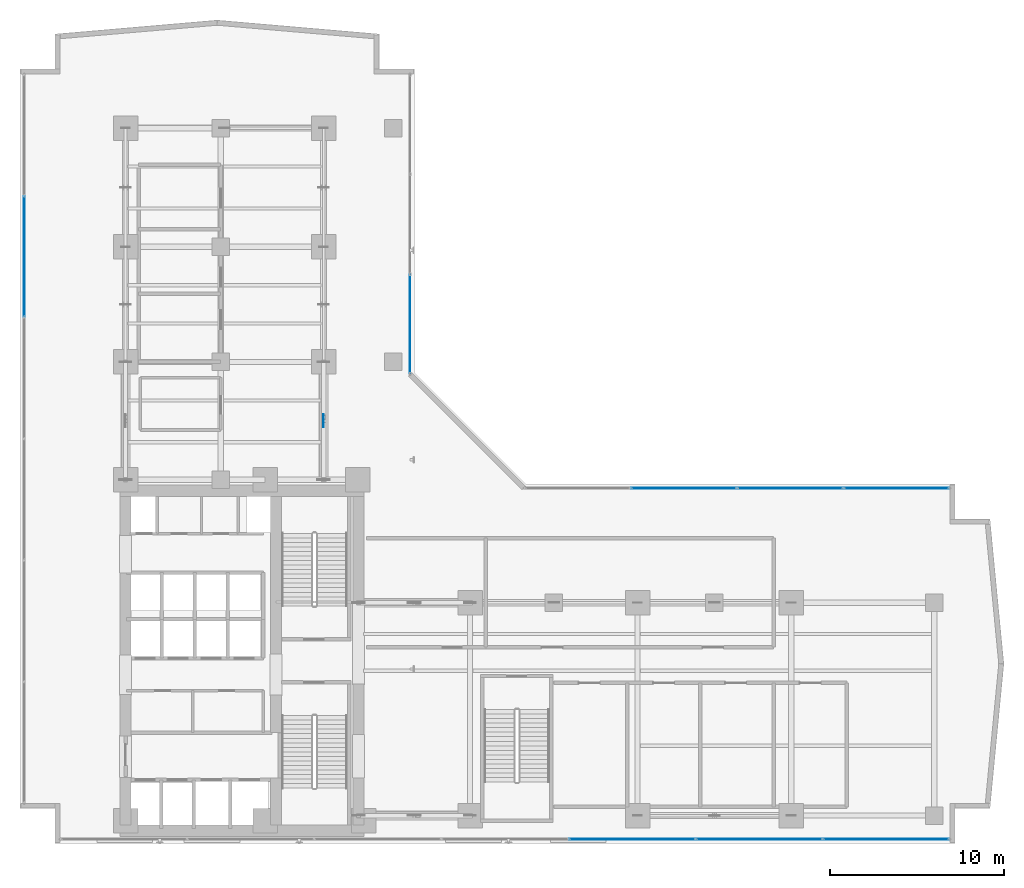
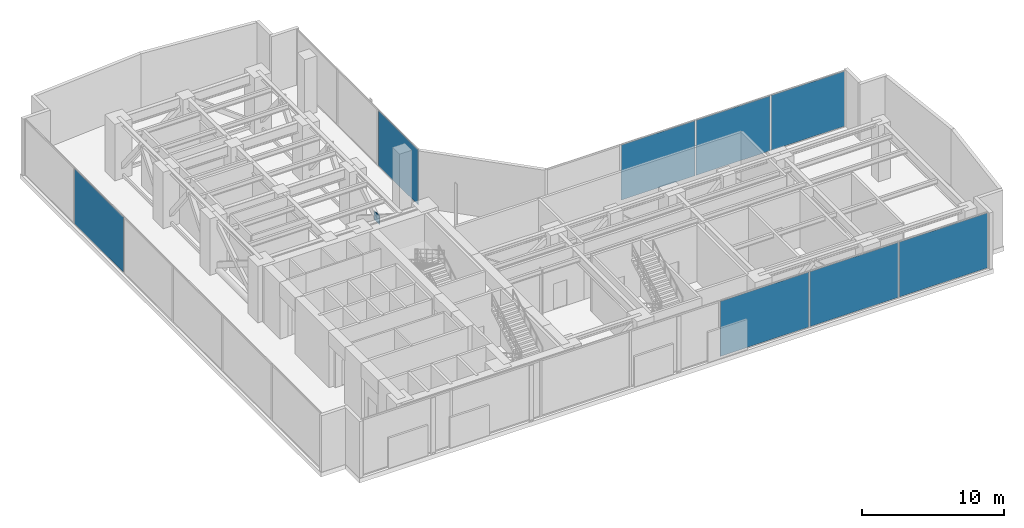
# One storey, part 27 of 37: 9 plates, 4 elements without a shape of their own.
"""IFC4 building model written with IfcOpenShell, lengths in metres."""

from ifc_helpers import new_model, si_unit, direction, frame, origin, origin_with_axes, origin_2d, place, context, subcontext, project, spatial, rectangle, extrude, source, transform, mapped, material, layer, layer_set, type_object, element, aggregate, save


model = new_model("IFC4")

# Units and contexts
model_context = context("Model", 3, precision=1e-05, world=origin(), true_north=direction((0.0, 1.0)))
body_context = subcontext(model_context, "Body", "Model", "MODEL_VIEW")
ifc_project = project(units=[si_unit("LENGTHUNIT", "METRE"), si_unit("AREAUNIT", "SQUARE_METRE"), si_unit("VOLUMEUNIT", "CUBIC_METRE"), si_unit("PLANEANGLEUNIT", "RADIAN"), si_unit("MASSUNIT", "GRAM", prefix="KILO")], contexts=[model_context])

# Site, building, storey
site_placement = place(None, origin())
site = spatial("IfcSite", under=ifc_project, at=site_placement, CompositionType="ELEMENT")
building_placement = place(site_placement, origin())
building = spatial("IfcBuilding", under=site, at=building_placement, Name="Kolvaren Waterfront Exchange", CompositionType="ELEMENT")
storey_placement = place(building_placement, frame((0.0, 0.0, 141.10009765625)))
storey = spatial("IfcBuildingStorey", under=building, at=storey_placement, Name="L36", CompositionType="ELEMENT", Elevation=141.10009765625)

# Plate
ifc_material_1 = material(Name="Steel S460", Category="steel")
ifc_layer_1 = layer(ifc_material_1, 0.044921875, Name="Steel S460")
ifc_layer_set_1 = layer_set([ifc_layer_1], Name="Steel S460")
plate_type_1 = type_object("IfcPlateType", Name="STR-PL-ON1", PredefinedType="USERDEFINED", material=ifc_layer_set_1)
shared_shape_1 = source(origin_with_axes(), body_context, "Body", "SweptSolid", [
    extrude(rectangle(XDim=0.044921875, YDim=0.75, at=origin_2d()), origin(), (0.0, 0.0, 1.0), 0.75),
])
plate_1_placement = place(storey_placement, frame((18.800048828125, 27.824951171875, 2.0048828125), z_axis=(0.0, 0.0, 1.0), x_axis=(1.0, 0.0, 0.0)))
element("IfcPlate", 1, at=plate_1_placement, inside=storey, type_object=plate_type_1, Name="L36 outrigger X-brace crossing gusset plate OA4", ObjectType="GUSSET PLATE", PredefinedType="USERDEFINED", context=body_context, shape_type="MappedRepresentation", body=[
    mapped(shared_shape_1, transform((0.0, 0.0, 0.0), x_axis=(1.0, 0.0, 0.0), y_axis=(0.0, 1.0, 0.0), z_axis=(0.0, 0.0, 1.0), scale=1.0)),
])

# Curtain wall, plates
ifc_material_2 = material(Name="Anodised dark bronze spandrel aluminium", Category="aluminium")
ifc_layer_2 = layer(ifc_material_2, 0.219970703125, Name="Anodised dark bronze spandrel aluminium")
ifc_layer_set_2 = layer_set([ifc_layer_2], Name="Anodised dark bronze spandrel aluminium")
curtain_wall_type = type_object("IfcCurtainWallType", Name="ARC-CW-SYS6", PredefinedType="USERDEFINED", material=ifc_layer_set_2)
curtain_wall_1_placement = place(storey_placement, origin())
curtain_wall_1 = element("IfcCurtainWall", 2, at=curtain_wall_1_placement, inside=storey, type_object=curtain_wall_type, Name="L36 stick curtain wall CW6 (CW-L36-S)", ObjectType="STICK CURTAIN WALL", PredefinedType="USERDEFINED")
ifc_layer_3 = layer(ifc_material_2, 0.0419921875, Name="Anodised dark bronze spandrel aluminium")
ifc_layer_set_3 = layer_set([ifc_layer_3], Name="Anodised dark bronze spandrel aluminium")
plate_type_2 = type_object("IfcPlateType", Name="ARC-CWP-42", PredefinedType="CURTAIN_PANEL", material=ifc_layer_set_3)
shared_shape_2 = source(origin_with_axes(), body_context, "Body", "SweptSolid", [
    extrude(rectangle(XDim=7.173095703125, YDim=0.0419921875, at=origin_2d()), origin(), (0.0, 0.0, 1.0), 4.72998046875),
])
plate_2_placement = place(storey_placement, frame((51.038330078125, 3.840087890625, 0.06494140625), z_axis=(0.0, 0.0, 1.0), x_axis=(1.0, 0.0, 0.0)))
plate_2 = element("IfcPlate", 3, at=plate_2_placement, type_object=plate_type_2, Name="CW6 panel 7.1", PredefinedType="CURTAIN_PANEL", context=body_context, shape_type="MappedRepresentation", body=[
    mapped(shared_shape_2, transform((0.0, 0.0, 0.0), x_axis=(1.0, 0.0, 0.0), y_axis=(0.0, 1.0, 0.0), z_axis=(0.0, 0.0, 1.0), scale=1.0)),
])
shared_shape_3 = source(origin_with_axes(), body_context, "Body", "SweptSolid", [
    extrude(rectangle(XDim=7.210693359375, YDim=0.0419921875, at=origin_2d()), origin(), (0.0, 0.0, 1.0), 4.72998046875),
])
plate_3_placement = place(storey_placement, frame((36.485595703125, 3.840087890625, 0.06494140625), z_axis=(0.0, 0.0, 1.0), x_axis=(1.0, 0.0, 0.0)))
plate_3 = element("IfcPlate", 4, at=plate_3_placement, type_object=plate_type_2, Name="CW6 panel 5.1", PredefinedType="CURTAIN_PANEL", context=body_context, shape_type="MappedRepresentation", body=[
    mapped(shared_shape_3, transform((0.0, 0.0, 0.0), x_axis=(1.0, 0.0, 0.0), y_axis=(0.0, 1.0, 0.0), z_axis=(0.0, 0.0, 1.0), scale=1.0)),
])
plate_4_placement = place(storey_placement, frame((43.771484375, 3.840087890625, 0.06494140625), z_axis=(0.0, 0.0, 1.0), x_axis=(1.0, 0.0, 0.0)))
plate_4 = element("IfcPlate", 5, at=plate_4_placement, type_object=plate_type_2, Name="CW6 panel 6.1", PredefinedType="CURTAIN_PANEL", context=body_context, shape_type="MappedRepresentation", body=[
    mapped(shared_shape_3, transform((0.0, 0.0, 0.0), x_axis=(1.0, 0.0, 0.0), y_axis=(0.0, 1.0, 0.0), z_axis=(0.0, 0.0, 1.0), scale=1.0)),
])
aggregate(curtain_wall_1, [plate_3, plate_4, plate_2])

# Curtain wall, plate
curtain_wall_2_placement = place(storey_placement, origin())
curtain_wall_2 = element("IfcCurtainWall", 6, at=curtain_wall_2_placement, inside=storey, type_object=curtain_wall_type, Name="L36 stick curtain wall CW6 (CW-L36-W)", ObjectType="STICK CURTAIN WALL", PredefinedType="USERDEFINED")
shared_shape_4 = source(origin_with_axes(), body_context, "Body", "SweptSolid", [
    extrude(rectangle(XDim=6.8916015625, YDim=0.0419921875, at=origin_2d()), origin(), (0.0, 0.0, 1.0), 4.72998046875),
])
plate_5_placement = place(storey_placement, frame((1.639892578125, 37.25, 0.06494140625), z_axis=(0.0, 0.0, 1.0), x_axis=(0.0, 1.0, 0.0)))
plate_5 = element("IfcPlate", 7, at=plate_5_placement, type_object=plate_type_2, Name="CW6 panel 5.1", PredefinedType="CURTAIN_PANEL", context=body_context, shape_type="MappedRepresentation", body=[
    mapped(shared_shape_4, transform((0.0, 0.0, 0.0), x_axis=(1.0, 0.0, 0.0), y_axis=(0.0, 1.0, 0.0), z_axis=(0.0, 0.0, 1.0), scale=1.0)),
])
aggregate(curtain_wall_2, [plate_5])

curtain_wall_3_placement = place(storey_placement, origin())
curtain_wall_3 = element("IfcCurtainWall", 8, at=curtain_wall_3_placement, inside=storey, type_object=curtain_wall_type, Name="L36 stick curtain wall CW6 (CW-L36-NE)", ObjectType="STICK CURTAIN WALL", PredefinedType="USERDEFINED")
shared_shape_5 = source(origin_with_axes(), body_context, "Body", "SweptSolid", [
    extrude(rectangle(XDim=5.624267578125, YDim=0.0419921875, at=origin_2d()), origin(), (0.0, 0.0, 1.0), 4.72998046875),
])
plate_6_placement = place(storey_placement, frame((23.760009765625, 33.377197265625, 0.06494140625), z_axis=(0.0, 0.0, 1.0), x_axis=(0.0, 1.0, 0.0)))
plate_6 = element("IfcPlate", 9, at=plate_6_placement, type_object=plate_type_2, Name="CW6 panel 1.1", PredefinedType="CURTAIN_PANEL", context=body_context, shape_type="MappedRepresentation", body=[
    mapped(shared_shape_5, transform((0.0, 0.0, 0.0), x_axis=(1.0, 0.0, 0.0), y_axis=(0.0, 1.0, 0.0), z_axis=(0.0, 0.0, 1.0), scale=1.0)),
])
aggregate(curtain_wall_3, [plate_6])

# Curtain wall, plates
curtain_wall_4_placement = place(storey_placement, origin())
curtain_wall_4 = element("IfcCurtainWall", 10, at=curtain_wall_4_placement, inside=storey, type_object=curtain_wall_type, Name="L36 stick curtain wall CW6 (CW-L36-EN)", ObjectType="STICK CURTAIN WALL", PredefinedType="USERDEFINED")
shared_shape_6 = source(origin_with_axes(), body_context, "Body", "SweptSolid", [
    extrude(rectangle(XDim=5.989990234375, YDim=0.0419921875, at=origin_2d()), origin(), (0.0, 0.0, 1.0), 4.72998046875),
])
plate_7_placement = place(storey_placement, frame((51.6298828125, 23.9599609375, 0.06494140625), z_axis=(0.0, 0.0, 1.0), x_axis=(1.0, 0.0, 0.0)))
plate_7 = element("IfcPlate", 11, at=plate_7_placement, type_object=plate_type_2, Name="CW6 panel 4.1", PredefinedType="CURTAIN_PANEL", context=body_context, shape_type="MappedRepresentation", body=[
    mapped(shared_shape_6, transform((0.0, 0.0, 0.0), x_axis=(1.0, 0.0, 0.0), y_axis=(0.0, 1.0, 0.0), z_axis=(0.0, 0.0, 1.0), scale=1.0)),
])
shared_shape_7 = source(origin_with_axes(), body_context, "Body", "SweptSolid", [
    extrude(rectangle(XDim=6.027587890625, YDim=0.0419921875, at=origin_2d()), origin(), (0.0, 0.0, 1.0), 4.72998046875),
])
plate_8_placement = place(storey_placement, frame((39.44384765625, 23.9599609375, 0.06494140625), z_axis=(0.0, 0.0, 1.0), x_axis=(1.0, 0.0, 0.0)))
plate_8 = element("IfcPlate", 12, at=plate_8_placement, type_object=plate_type_2, Name="CW6 panel 2.1", PredefinedType="CURTAIN_PANEL", context=body_context, shape_type="MappedRepresentation", body=[
    mapped(shared_shape_7, transform((0.0, 0.0, 0.0), x_axis=(1.0, 0.0, 0.0), y_axis=(0.0, 1.0, 0.0), z_axis=(0.0, 0.0, 1.0), scale=1.0)),
])
plate_9_placement = place(storey_placement, frame((45.546142578125, 23.9599609375, 0.06494140625), z_axis=(0.0, 0.0, 1.0), x_axis=(1.0, 0.0, 0.0)))
plate_9 = element("IfcPlate", 13, at=plate_9_placement, type_object=plate_type_2, Name="CW6 panel 3.1", PredefinedType="CURTAIN_PANEL", context=body_context, shape_type="MappedRepresentation", body=[
    mapped(shared_shape_7, transform((0.0, 0.0, 0.0), x_axis=(1.0, 0.0, 0.0), y_axis=(0.0, 1.0, 0.0), z_axis=(0.0, 0.0, 1.0), scale=1.0)),
])
aggregate(curtain_wall_4, [plate_8, plate_9, plate_7])

save(model, "model.ifc")
